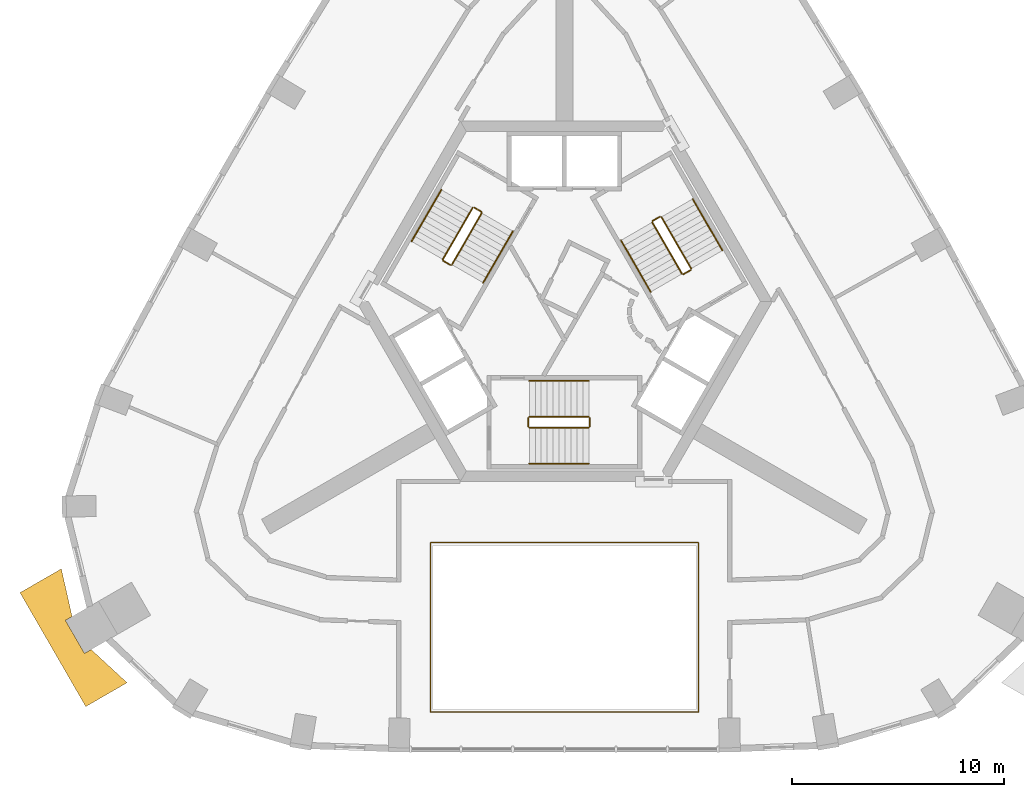
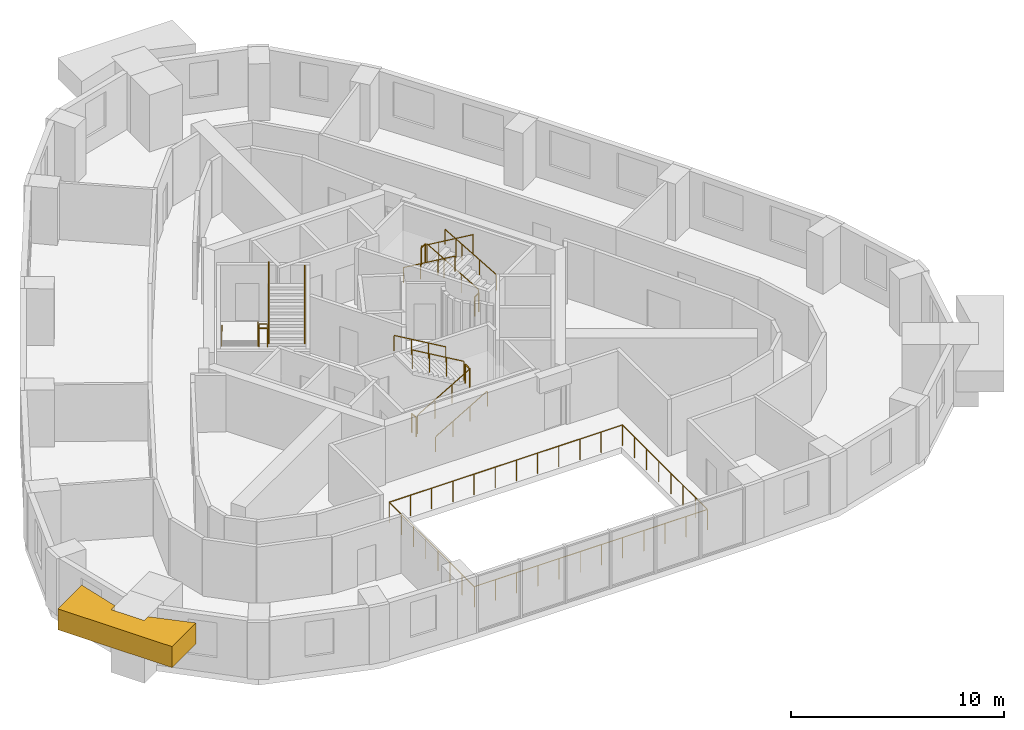
# One storey, part 8 of 9: 19 railings, 1 covering.
"""IFC4 building model written with IfcOpenShell, lengths in metres."""

from ifc_helpers import new_model, si_unit, direction, frame, origin, origin_2d, place, context, subcontext, project, spatial, polyline, circle, outline, extrude, material, type_object, element, save


model = new_model("IFC4")

# Units and contexts
model_context = context("Model", 3, precision=1e-05, world=origin(), true_north=direction((0.0, 1.0)))
body_context = subcontext(model_context, "Body", "Model", "MODEL_VIEW")
ifc_project = project(units=[si_unit("LENGTHUNIT", "METRE"), si_unit("AREAUNIT", "SQUARE_METRE"), si_unit("VOLUMEUNIT", "CUBIC_METRE"), si_unit("PLANEANGLEUNIT", "RADIAN"), si_unit("MASSUNIT", "GRAM", prefix="KILO")], contexts=[model_context])

# Site, building, storey
site_placement = place(None, origin())
site = spatial("IfcSite", under=ifc_project, at=site_placement, CompositionType="ELEMENT")
building_placement = place(site_placement, origin())
building = spatial("IfcBuilding", under=site, at=building_placement, Name="Entoto Arch Interchange Tower", CompositionType="ELEMENT")
storey_placement = place(building_placement, frame((0.0, 0.0, 315.199951171875)))
storey = spatial("IfcBuildingStorey", under=building, at=storey_placement, Name="L74", CompositionType="ELEMENT", Elevation=315.199951171875)

# Railing
ifc_material_1 = material(Name="Stainless steel 1.4301", Category="steel")
railing_type_1 = type_object("IfcRailingType", Name="ATRIUM GUARD 1200 STEEL AND GLASS", PredefinedType="GUARDRAIL", material=ifc_material_1)
railing_1_placement = place(storey_placement, frame((6.320068359375, -16.865966796875, 0.0)))
element("IfcRailing", 1, at=railing_1_placement, inside=storey, type_object=railing_type_1, Name="Atrium guard L74", PredefinedType="GUARDRAIL", context=body_context, shape_type="SweptSolid", body=[
    extrude(circle(Radius=0.02392578125, at=origin_2d()), frame((0.0, 0.0, 1.17578125), z_axis=(-1.0, 0.0, 0.0), x_axis=(0.0, -1.0, 0.0)), (0.0, 0.0, 1.0), 12.64013671875),
    extrude(circle(Radius=0.02392578125, at=origin_2d()), frame((-12.64013671875, 0.0, 1.17578125), z_axis=(0.0, 1.0, 0.0), x_axis=(-1.0, 0.0, 0.0)), (0.0, 0.0, 1.0), 7.986083984375),
    extrude(circle(Radius=0.02392578125, at=origin_2d()), frame((-12.64013671875, 7.986083984375, 1.17578125), z_axis=(1.0, 0.0, 0.0), x_axis=(0.0, 1.0, 0.0)), (0.0, 0.0, 1.0), 12.64013671875),
    extrude(circle(Radius=0.02392578125, at=origin_2d()), frame((0.0, 7.986083984375, 1.17578125), z_axis=(0.0, -1.0, 0.0), x_axis=(1.0, 0.0, 0.0)), (0.0, 0.0, 1.0), 7.986083984375),
    extrude(circle(Radius=0.02099609375, at=origin_2d()), origin(), (0.0, 0.0, 1.0), 1.15185546875),
    extrude(circle(Radius=0.02099609375, at=origin_2d()), frame((-1.149169921875, 0.0, 0.0)), (0.0, 0.0, 1.0), 1.15185546875),
    extrude(circle(Radius=0.02099609375, at=origin_2d()), frame((-2.298095703125, 0.0, 0.0)), (0.0, 0.0, 1.0), 1.15185546875),
    extrude(circle(Radius=0.02099609375, at=origin_2d()), frame((-3.447265625, 0.0, 0.0)), (0.0, 0.0, 1.0), 1.15185546875),
    extrude(circle(Radius=0.02099609375, at=origin_2d()), frame((-4.596435546875, 0.0, 0.0)), (0.0, 0.0, 1.0), 1.15185546875),
    extrude(circle(Radius=0.02099609375, at=origin_2d()), frame((-5.74560546875, 0.0, 0.0)), (0.0, 0.0, 1.0), 1.15185546875),
    extrude(circle(Radius=0.02099609375, at=origin_2d()), frame((-6.89453125, 0.0, 0.0)), (0.0, 0.0, 1.0), 1.15185546875),
    extrude(circle(Radius=0.02099609375, at=origin_2d()), frame((-8.043701171875, 0.0, 0.0)), (0.0, 0.0, 1.0), 1.15185546875),
    extrude(circle(Radius=0.02099609375, at=origin_2d()), frame((-9.19287109375, 0.0, 0.0)), (0.0, 0.0, 1.0), 1.15185546875),
    extrude(circle(Radius=0.02099609375, at=origin_2d()), frame((-10.342041015625, 0.0, 0.0)), (0.0, 0.0, 1.0), 1.15185546875),
    extrude(circle(Radius=0.02099609375, at=origin_2d()), frame((-11.490966796875, 0.0, 0.0)), (0.0, 0.0, 1.0), 1.15185546875),
    extrude(circle(Radius=0.02099609375, at=origin_2d()), frame((-12.64013671875, 0.0, 0.0)), (0.0, 0.0, 1.0), 1.15185546875),
    extrude(circle(Radius=0.02099609375, at=origin_2d()), frame((-12.64013671875, 1.140869140625, 0.0)), (0.0, 0.0, 1.0), 1.15185546875),
    extrude(circle(Radius=0.02099609375, at=origin_2d()), frame((-12.64013671875, 2.28173828125, 0.0)), (0.0, 0.0, 1.0), 1.15185546875),
    extrude(circle(Radius=0.02099609375, at=origin_2d()), frame((-12.64013671875, 3.422607421875, 0.0)), (0.0, 0.0, 1.0), 1.15185546875),
    extrude(circle(Radius=0.02099609375, at=origin_2d()), frame((-12.64013671875, 4.5634765625, 0.0)), (0.0, 0.0, 1.0), 1.15185546875),
    extrude(circle(Radius=0.02099609375, at=origin_2d()), frame((-12.64013671875, 5.704345703125, 0.0)), (0.0, 0.0, 1.0), 1.15185546875),
    extrude(circle(Radius=0.02099609375, at=origin_2d()), frame((-12.64013671875, 6.84521484375, 0.0)), (0.0, 0.0, 1.0), 1.15185546875),
    extrude(circle(Radius=0.02099609375, at=origin_2d()), frame((-12.64013671875, 7.986083984375, 0.0)), (0.0, 0.0, 1.0), 1.15185546875),
    extrude(circle(Radius=0.02099609375, at=origin_2d()), frame((-11.490966796875, 7.986083984375, 0.0)), (0.0, 0.0, 1.0), 1.15185546875),
    extrude(circle(Radius=0.02099609375, at=origin_2d()), frame((-10.342041015625, 7.986083984375, 0.0)), (0.0, 0.0, 1.0), 1.15185546875),
    extrude(circle(Radius=0.02099609375, at=origin_2d()), frame((-9.19287109375, 7.986083984375, 0.0)), (0.0, 0.0, 1.0), 1.15185546875),
    extrude(circle(Radius=0.02099609375, at=origin_2d()), frame((-8.043701171875, 7.986083984375, 0.0)), (0.0, 0.0, 1.0), 1.15185546875),
    extrude(circle(Radius=0.02099609375, at=origin_2d()), frame((-6.89453125, 7.986083984375, 0.0)), (0.0, 0.0, 1.0), 1.15185546875),
    extrude(circle(Radius=0.02099609375, at=origin_2d()), frame((-5.74560546875, 7.986083984375, 0.0)), (0.0, 0.0, 1.0), 1.15185546875),
    extrude(circle(Radius=0.02099609375, at=origin_2d()), frame((-4.596435546875, 7.986083984375, 0.0)), (0.0, 0.0, 1.0), 1.15185546875),
    extrude(circle(Radius=0.02099609375, at=origin_2d()), frame((-3.447265625, 7.986083984375, 0.0)), (0.0, 0.0, 1.0), 1.15185546875),
    extrude(circle(Radius=0.02099609375, at=origin_2d()), frame((-2.298095703125, 7.986083984375, 0.0)), (0.0, 0.0, 1.0), 1.15185546875),
    extrude(circle(Radius=0.02099609375, at=origin_2d()), frame((-1.149169921875, 7.986083984375, 0.0)), (0.0, 0.0, 1.0), 1.15185546875),
    extrude(circle(Radius=0.02099609375, at=origin_2d()), frame((0.0, 7.986083984375, 0.0)), (0.0, 0.0, 1.0), 1.15185546875),
    extrude(circle(Radius=0.02099609375, at=origin_2d()), frame((0.0, 6.84521484375, 0.0)), (0.0, 0.0, 1.0), 1.15185546875),
    extrude(circle(Radius=0.02099609375, at=origin_2d()), frame((0.0, 5.704345703125, 0.0)), (0.0, 0.0, 1.0), 1.15185546875),
    extrude(circle(Radius=0.02099609375, at=origin_2d()), frame((0.0, 4.5634765625, 0.0)), (0.0, 0.0, 1.0), 1.15185546875),
    extrude(circle(Radius=0.02099609375, at=origin_2d()), frame((0.0, 3.422607421875, 0.0)), (0.0, 0.0, 1.0), 1.15185546875),
    extrude(circle(Radius=0.02099609375, at=origin_2d()), frame((0.0, 2.28173828125, 0.0)), (0.0, 0.0, 1.0), 1.15185546875),
    extrude(circle(Radius=0.02099609375, at=origin_2d()), frame((0.0, 1.140869140625, 0.0)), (0.0, 0.0, 1.0), 1.15185546875),
])

# Covering
ifc_material_2 = material(Name="Board-marked precast concrete C50/60", Category="concrete")
covering_type = type_object("IfcCoveringType", Name="PRECAST FRAME COURSE", PredefinedType="CLADDING", material=ifc_material_2)
covering_placement = place(storey_placement, frame((0.0, 0.0, 2.06005859375)))
element("IfcCovering", 2, at=covering_placement, inside=storey, type_object=covering_type, Name="Corner pilaster head SW L72-L74", PredefinedType="CLADDING", context=body_context, shape_type="SweptSolid", body=[
    extrude(outline(polyline([(-22.55810546875, -16.60400390625), (-25.657958984375, -11.23388671875), (-23.7099609375, -10.110107421875), (-23.202880859375, -12.35791015625), (-23.51806640625, -12.5400390625), (-22.617919921875, -14.097900390625), (-22.302978515625, -13.916015625), (-20.610107421875, -15.47900390625), (-22.55810546875, -16.60400390625)])), origin(), (0.0, 0.0, 1.0), 1.199951171875),
])

# Railings
railing_type_2 = type_object("IfcRailingType", Name="STAIR GUARD 1100 STEEL", PredefinedType="GUARDRAIL", material=ifc_material_1)
railing_2_placement = place(storey_placement, frame((-1.64990234375, -3.449951171875, 0.16357421875)))
element("IfcRailing", 3, at=railing_2_placement, inside=storey, type_object=railing_type_2, Name="L74 ST-S stair guard 1", PredefinedType="GUARDRAIL", context=body_context, shape_type="SweptSolid", body=[
    extrude(circle(Radius=0.02392578125, at=origin_2d()), frame((0.0, 0.0, 1.076171875), z_axis=(0.863341702679, 0.0, 0.504619762213), x_axis=(0.0, 1.0, 0.0)), (0.0, 0.0, 1.0), 3.242919921875),
    extrude(circle(Radius=0.02099609375, at=origin_2d()), origin(), (0.0, 0.0, 1.0), 1.052001953125),
    extrude(circle(Radius=0.02099609375, at=origin_2d()), frame((0.933349609375, 0.0, 0.54541015625)), (0.0, 0.0, 1.0), 1.052001953125),
    extrude(circle(Radius=0.02099609375, at=origin_2d()), frame((1.866455078125, 0.0, 1.091064453125)), (0.0, 0.0, 1.0), 1.052001953125),
    extrude(circle(Radius=0.02099609375, at=origin_2d()), frame((2.7998046875, 0.0, 1.636474609375)), (0.0, 0.0, 1.0), 1.052001953125),
])
railing_3_placement = place(storey_placement, frame((1.199951171875, -3.39990234375, 1.800048828125)))
element("IfcRailing", 4, at=railing_3_placement, inside=storey, type_object=railing_type_2, Name="L74 ST-S stair guard 2", PredefinedType="GUARDRAIL", context=body_context, shape_type="SweptSolid", body=[
    extrude(circle(Radius=0.02392578125, at=origin_2d()), frame((0.0, 0.0, 1.076171875), z_axis=(0.0, 1.0, 0.0), x_axis=(-1.0, 0.0, 0.0)), (0.0, 0.0, 1.0), 0.39990234375),
    extrude(circle(Radius=0.02099609375, at=origin_2d()), origin(), (0.0, 0.0, 1.0), 1.052001953125),
    extrude(circle(Radius=0.02099609375, at=origin_2d()), frame((0.0, 0.39990234375, 0.0)), (0.0, 0.0, 1.0), 1.052001953125),
])
railing_4_placement = place(storey_placement, frame((1.14990234375, -2.949951171875, 1.963623046875)))
element("IfcRailing", 5, at=railing_4_placement, inside=storey, type_object=railing_type_2, Name="L74 ST-S stair guard 3", PredefinedType="GUARDRAIL", context=body_context, shape_type="SweptSolid", body=[
    extrude(circle(Radius=0.02392578125, at=origin_2d()), frame((0.0, 0.0, 1.076171875), z_axis=(-0.863341702679, 0.0, 0.504619762213), x_axis=(0.0, -1.0, 0.0)), (0.0, 0.0, 1.0), 3.242919921875),
    extrude(circle(Radius=0.02099609375, at=origin_2d()), origin(), (0.0, 0.0, 1.0), 1.052001953125),
    extrude(circle(Radius=0.02099609375, at=origin_2d()), frame((-0.933349609375, 0.0, 0.54541015625)), (0.0, 0.0, 1.0), 1.052001953125),
    extrude(circle(Radius=0.02099609375, at=origin_2d()), frame((-1.866455078125, 0.0, 1.091064453125)), (0.0, 0.0, 1.0), 1.052001953125),
    extrude(circle(Radius=0.02099609375, at=origin_2d()), frame((-2.7998046875, 0.0, 1.636474609375)), (0.0, 0.0, 1.0), 1.052001953125),
])
railing_5_placement = place(storey_placement, frame((-1.699951171875, -3.39990234375, 0.0)))
element("IfcRailing", 6, at=railing_5_placement, inside=storey, type_object=railing_type_2, Name="L74 ST-S stair guard 4", PredefinedType="GUARDRAIL", context=body_context, shape_type="SweptSolid", body=[
    extrude(circle(Radius=0.02392578125, at=origin_2d()), frame((0.0, 0.0, 1.076171875), z_axis=(0.0, 1.0, 0.0), x_axis=(-1.0, 0.0, 0.0)), (0.0, 0.0, 1.0), 0.39990234375),
    extrude(circle(Radius=0.02099609375, at=origin_2d()), origin(), (0.0, 0.0, 1.0), 1.052001953125),
    extrude(circle(Radius=0.02099609375, at=origin_2d()), frame((0.0, 0.39990234375, 0.0)), (0.0, 0.0, 1.0), 1.052001953125),
])
railing_6_placement = place(storey_placement, frame((5.977783203125, 4.046142578125, 0.16357421875)))
element("IfcRailing", 7, at=railing_6_placement, inside=storey, type_object=railing_type_2, Name="L74 ST-NE stair guard 1", PredefinedType="GUARDRAIL", context=body_context, shape_type="SweptSolid", body=[
    extrude(circle(Radius=0.02392578125, at=origin_2d()), frame((0.0, 0.0, 1.076171875), z_axis=(-0.431660630283, 0.747689811644, 0.504607813879), x_axis=(-0.866034573852, -0.49998411664, 0.0)), (0.0, 0.0, 1.0), 3.2431640625),
    extrude(circle(Radius=0.02099609375, at=origin_2d()), origin(), (0.0, 0.0, 1.0), 1.052001953125),
    extrude(circle(Radius=0.02099609375, at=origin_2d()), frame((-0.466552734375, 0.808349609375, 0.54541015625)), (0.0, 0.0, 1.0), 1.052001953125),
    extrude(circle(Radius=0.02099609375, at=origin_2d()), frame((-0.933349609375, 1.616455078125, 1.091064453125)), (0.0, 0.0, 1.0), 1.052001953125),
    extrude(circle(Radius=0.02099609375, at=origin_2d()), frame((-1.39990234375, 2.4248046875, 1.636474609375)), (0.0, 0.0, 1.0), 1.052001953125),
])
railing_7_placement = place(storey_placement, frame((4.509521484375, 6.4892578125, 1.800048828125)))
element("IfcRailing", 8, at=railing_7_placement, inside=storey, type_object=railing_type_2, Name="L74 ST-NE stair guard 2", PredefinedType="GUARDRAIL", context=body_context, shape_type="SweptSolid", body=[
    extrude(circle(Radius=0.02392578125, at=origin_2d()), frame((0.0, 0.0, 1.076171875), z_axis=(-0.866094119867, -0.499880961361, 0.0), x_axis=(0.499880961361, -0.866094119867, 0.0)), (0.0, 0.0, 1.0), 0.39990234375),
    extrude(circle(Radius=0.02099609375, at=origin_2d()), origin(), (0.0, 0.0, 1.0), 1.052001953125),
    extrude(circle(Radius=0.02099609375, at=origin_2d()), frame((-0.346435546875, -0.199951171875, 0.0)), (0.0, 0.0, 1.0), 1.052001953125),
])
railing_8_placement = place(storey_placement, frame((4.144775390625, 6.220947265625, 1.963623046875)))
element("IfcRailing", 9, at=railing_8_placement, inside=storey, type_object=railing_type_2, Name="L74 ST-NE stair guard 3", PredefinedType="GUARDRAIL", context=body_context, shape_type="SweptSolid", body=[
    extrude(circle(Radius=0.02392578125, at=origin_2d()), frame((0.0, 0.0, 1.076171875), z_axis=(0.431721881032, -0.747665513933, 0.504591415616), x_axis=(0.865996816683, 0.500049511043, 0.0)), (0.0, 0.0, 1.0), 3.2431640625),
    extrude(circle(Radius=0.02099609375, at=origin_2d()), origin(), (0.0, 0.0, 1.0), 1.052001953125),
    extrude(circle(Radius=0.02099609375, at=origin_2d()), frame((0.466796875, -0.808349609375, 0.54541015625)), (0.0, 0.0, 1.0), 1.052001953125),
    extrude(circle(Radius=0.02099609375, at=origin_2d()), frame((0.933349609375, -1.616455078125, 1.091064453125)), (0.0, 0.0, 1.0), 1.052001953125),
    extrude(circle(Radius=0.02099609375, at=origin_2d()), frame((1.400146484375, -2.4248046875, 1.636474609375)), (0.0, 0.0, 1.0), 1.052001953125),
])
railing_9_placement = place(storey_placement, frame((5.95947265625, 3.977783203125, 0.0)))
element("IfcRailing", 10, at=railing_9_placement, inside=storey, type_object=railing_type_2, Name="L74 ST-NE stair guard 4", PredefinedType="GUARDRAIL", context=body_context, shape_type="SweptSolid", body=[
    extrude(circle(Radius=0.02392578125, at=origin_2d()), frame((0.0, 0.0, 1.076171875), z_axis=(-0.866094119867, -0.499880961361, 0.0), x_axis=(0.499880961361, -0.866094119867, 0.0)), (0.0, 0.0, 1.0), 0.39990234375),
    extrude(circle(Radius=0.02099609375, at=origin_2d()), origin(), (0.0, 0.0, 1.0), 1.052001953125),
    extrude(circle(Radius=0.02099609375, at=origin_2d()), frame((-0.346435546875, -0.199951171875, 0.0)), (0.0, 0.0, 1.0), 1.052001953125),
])
railing_10_placement = place(storey_placement, frame((-4.327880859375, 6.904052734375, 0.16357421875)))
element("IfcRailing", 11, at=railing_10_placement, inside=storey, type_object=railing_type_2, Name="L74 ST-NW stair guard 1", PredefinedType="GUARDRAIL", context=body_context, shape_type="SweptSolid", body=[
    extrude(circle(Radius=0.02392578125, at=origin_2d()), frame((0.0, 0.0, 1.076171875), z_axis=(-0.431636334334, -0.747723004699, 0.504579412111), x_axis=(0.866056369097, -0.49994636267, 0.0)), (0.0, 0.0, 1.0), 3.2431640625),
    extrude(circle(Radius=0.02099609375, at=origin_2d()), origin(), (0.0, 0.0, 1.0), 1.052001953125),
    extrude(circle(Radius=0.02099609375, at=origin_2d()), frame((-0.466552734375, -0.808349609375, 0.54541015625)), (0.0, 0.0, 1.0), 1.052001953125),
    extrude(circle(Radius=0.02099609375, at=origin_2d()), frame((-0.933349609375, -1.61669921875, 1.091064453125)), (0.0, 0.0, 1.0), 1.052001953125),
    extrude(circle(Radius=0.02099609375, at=origin_2d()), frame((-1.39990234375, -2.425048828125, 1.636474609375)), (0.0, 0.0, 1.0), 1.052001953125),
])
railing_11_placement = place(storey_placement, frame((-5.70947265625, 4.410888671875, 1.800048828125)))
element("IfcRailing", 12, at=railing_11_placement, inside=storey, type_object=railing_type_2, Name="L74 ST-NW stair guard 2", PredefinedType="GUARDRAIL", context=body_context, shape_type="SweptSolid", body=[
    extrude(circle(Radius=0.02392578125, at=origin_2d()), frame((0.0, 0.0, 1.076171875), z_axis=(0.865829829939, -0.500338590944, 0.0), x_axis=(0.500338590944, 0.865829829939, 0.0)), (0.0, 0.0, 1.0), 0.400146484375),
    extrude(circle(Radius=0.02099609375, at=origin_2d()), origin(), (0.0, 0.0, 1.0), 1.052001953125),
    extrude(circle(Radius=0.02099609375, at=origin_2d()), frame((0.346435546875, -0.2001953125, 0.0)), (0.0, 0.0, 1.0), 1.052001953125),
])
railing_12_placement = place(storey_placement, frame((-5.294921875, 4.22900390625, 1.963623046875)))
element("IfcRailing", 13, at=railing_12_placement, inside=storey, type_object=railing_type_2, Name="L74 ST-NW stair guard 3", PredefinedType="GUARDRAIL", context=body_context, shape_type="SweptSolid", body=[
    extrude(circle(Radius=0.02392578125, at=origin_2d()), frame((0.0, 0.0, 1.076171875), z_axis=(0.431697583215, 0.747698708645, 0.504563016616), x_axis=(-0.866018616679, 0.500011755427, 0.0)), (0.0, 0.0, 1.0), 3.243408203125),
    extrude(circle(Radius=0.02099609375, at=origin_2d()), origin(), (0.0, 0.0, 1.0), 1.052001953125),
    extrude(circle(Radius=0.02099609375, at=origin_2d()), frame((0.466796875, 0.808349609375, 0.54541015625)), (0.0, 0.0, 1.0), 1.052001953125),
    extrude(circle(Radius=0.02099609375, at=origin_2d()), frame((0.933349609375, 1.61669921875, 1.091064453125)), (0.0, 0.0, 1.0), 1.052001953125),
    extrude(circle(Radius=0.02099609375, at=origin_2d()), frame((1.400146484375, 2.425048828125, 1.636474609375)), (0.0, 0.0, 1.0), 1.052001953125),
])
railing_13_placement = place(storey_placement, frame((-4.259521484375, 6.92236328125, 0.0)))
element("IfcRailing", 14, at=railing_13_placement, inside=storey, type_object=railing_type_2, Name="L74 ST-NW stair guard 4", PredefinedType="GUARDRAIL", context=body_context, shape_type="SweptSolid", body=[
    extrude(circle(Radius=0.02392578125, at=origin_2d()), frame((0.0, 0.0, 1.076171875), z_axis=(0.865829829939, -0.500338590944, 0.0), x_axis=(0.500338590944, 0.865829829939, 0.0)), (0.0, 0.0, 1.0), 0.400146484375),
    extrude(circle(Radius=0.02099609375, at=origin_2d()), origin(), (0.0, 0.0, 1.0), 1.052001953125),
    extrude(circle(Radius=0.02099609375, at=origin_2d()), frame((0.346435546875, -0.2001953125, 0.0)), (0.0, 0.0, 1.0), 1.052001953125),
])
railing_type_3 = type_object("IfcRailingType", Name="STAIR HANDRAIL 900 STEEL", PredefinedType="HANDRAIL", material=ifc_material_1)
railing_14_placement = place(storey_placement, frame((-1.64990234375, -5.14990234375, 0.16357421875)))
element("IfcRailing", 15, at=railing_14_placement, inside=storey, type_object=railing_type_3, Name="L74 ST-S stair handrail 1", PredefinedType="HANDRAIL", context=body_context, shape_type="SweptSolid", body=[
    extrude(circle(Radius=0.02392578125, at=origin_2d()), frame((0.0, 0.0, 0.8759765625), z_axis=(0.863341702679, 0.0, 0.504619762213), x_axis=(0.0, 1.0, 0.0)), (0.0, 0.0, 1.0), 3.242919921875),
    extrude(circle(Radius=0.02099609375, at=origin_2d()), origin(), (0.0, 0.0, 1.0), 0.851806640625),
    extrude(circle(Radius=0.02099609375, at=origin_2d()), frame((0.933349609375, 0.0, 0.54541015625)), (0.0, 0.0, 1.0), 0.851806640625),
    extrude(circle(Radius=0.02099609375, at=origin_2d()), frame((1.866455078125, 0.0, 1.091064453125)), (0.0, 0.0, 1.0), 0.851806640625),
    extrude(circle(Radius=0.02099609375, at=origin_2d()), frame((2.7998046875, 0.0, 1.636474609375)), (0.0, 0.0, 1.0), 0.851806640625),
])
railing_15_placement = place(storey_placement, frame((1.14990234375, -1.25, 1.963623046875)))
element("IfcRailing", 16, at=railing_15_placement, inside=storey, type_object=railing_type_3, Name="L74 ST-S stair handrail 2", PredefinedType="HANDRAIL", context=body_context, shape_type="SweptSolid", body=[
    extrude(circle(Radius=0.02392578125, at=origin_2d()), frame((0.0, 0.0, 0.8759765625), z_axis=(-0.863341702679, 0.0, 0.504619762213), x_axis=(0.0, -1.0, 0.0)), (0.0, 0.0, 1.0), 3.242919921875),
    extrude(circle(Radius=0.02099609375, at=origin_2d()), origin(), (0.0, 0.0, 1.0), 0.851806640625),
    extrude(circle(Radius=0.02099609375, at=origin_2d()), frame((-0.933349609375, 0.0, 0.54541015625)), (0.0, 0.0, 1.0), 0.851806640625),
    extrude(circle(Radius=0.02099609375, at=origin_2d()), frame((-1.866455078125, 0.0, 1.091064453125)), (0.0, 0.0, 1.0), 0.851806640625),
    extrude(circle(Radius=0.02099609375, at=origin_2d()), frame((-2.7998046875, 0.0, 1.636474609375)), (0.0, 0.0, 1.0), 0.851806640625),
])
railing_16_placement = place(storey_placement, frame((7.4501953125, 4.89599609375, 0.16357421875)))
element("IfcRailing", 17, at=railing_16_placement, inside=storey, type_object=railing_type_3, Name="L74 ST-NE stair handrail 1", PredefinedType="HANDRAIL", context=body_context, shape_type="SweptSolid", body=[
    extrude(circle(Radius=0.02392578125, at=origin_2d()), frame((0.0, 0.0, 0.8759765625), z_axis=(-0.431697583215, 0.747698708645, 0.504563016616), x_axis=(-0.866018616679, -0.500011755427, 0.0)), (0.0, 0.0, 1.0), 3.243408203125),
    extrude(circle(Radius=0.02099609375, at=origin_2d()), origin(), (0.0, 0.0, 1.0), 0.851806640625),
    extrude(circle(Radius=0.02099609375, at=origin_2d()), frame((-0.466796875, 0.808349609375, 0.54541015625)), (0.0, 0.0, 1.0), 0.851806640625),
    extrude(circle(Radius=0.02099609375, at=origin_2d()), frame((-0.933349609375, 1.61669921875, 1.091064453125)), (0.0, 0.0, 1.0), 0.851806640625),
    extrude(circle(Radius=0.02099609375, at=origin_2d()), frame((-1.400146484375, 2.425048828125, 1.636474609375)), (0.0, 0.0, 1.0), 0.851806640625),
])
railing_17_placement = place(storey_placement, frame((2.672607421875, 5.370849609375, 1.963623046875)))
element("IfcRailing", 18, at=railing_17_placement, inside=storey, type_object=railing_type_3, Name="L74 ST-NE stair handrail 2", PredefinedType="HANDRAIL", context=body_context, shape_type="SweptSolid", body=[
    extrude(circle(Radius=0.02392578125, at=origin_2d()), frame((0.0, 0.0, 0.8759765625), z_axis=(0.431660630283, -0.747689811644, 0.504607813879), x_axis=(0.866034573852, 0.49998411664, 0.0)), (0.0, 0.0, 1.0), 3.2431640625),
    extrude(circle(Radius=0.02099609375, at=origin_2d()), origin(), (0.0, 0.0, 1.0), 0.851806640625),
    extrude(circle(Radius=0.02099609375, at=origin_2d()), frame((0.466552734375, -0.808349609375, 0.54541015625)), (0.0, 0.0, 1.0), 0.851806640625),
    extrude(circle(Radius=0.02099609375, at=origin_2d()), frame((0.933349609375, -1.616455078125, 1.091064453125)), (0.0, 0.0, 1.0), 0.851806640625),
    extrude(circle(Radius=0.02099609375, at=origin_2d()), frame((1.39990234375, -2.4248046875, 1.636474609375)), (0.0, 0.0, 1.0), 0.851806640625),
])
railing_18_placement = place(storey_placement, frame((-5.800048828125, 7.75390625, 0.16357421875)))
element("IfcRailing", 19, at=railing_18_placement, inside=storey, type_object=railing_type_3, Name="L74 ST-NW stair handrail 1", PredefinedType="HANDRAIL", context=body_context, shape_type="SweptSolid", body=[
    extrude(circle(Radius=0.02392578125, at=origin_2d()), frame((0.0, 0.0, 0.8759765625), z_axis=(-0.431721881032, -0.747665513933, 0.504591415616), x_axis=(0.865996816683, -0.500049511043, 0.0)), (0.0, 0.0, 1.0), 3.2431640625),
    extrude(circle(Radius=0.02099609375, at=origin_2d()), origin(), (0.0, 0.0, 1.0), 0.851806640625),
    extrude(circle(Radius=0.02099609375, at=origin_2d()), frame((-0.466796875, -0.808349609375, 0.54541015625)), (0.0, 0.0, 1.0), 0.851806640625),
    extrude(circle(Radius=0.02099609375, at=origin_2d()), frame((-0.933349609375, -1.616455078125, 1.091064453125)), (0.0, 0.0, 1.0), 0.851806640625),
    extrude(circle(Radius=0.02099609375, at=origin_2d()), frame((-1.400146484375, -2.4248046875, 1.636474609375)), (0.0, 0.0, 1.0), 0.851806640625),
])
railing_19_placement = place(storey_placement, frame((-3.822509765625, 3.379150390625, 1.963623046875)))
element("IfcRailing", 20, at=railing_19_placement, inside=storey, type_object=railing_type_3, Name="L74 ST-NW stair handrail 2", PredefinedType="HANDRAIL", context=body_context, shape_type="SweptSolid", body=[
    extrude(circle(Radius=0.02392578125, at=origin_2d()), frame((0.0, 0.0, 0.8759765625), z_axis=(0.431660630283, 0.747689811644, 0.504607813879), x_axis=(-0.866034573852, 0.49998411664, 0.0)), (0.0, 0.0, 1.0), 3.2431640625),
    extrude(circle(Radius=0.02099609375, at=origin_2d()), origin(), (0.0, 0.0, 1.0), 0.851806640625),
    extrude(circle(Radius=0.02099609375, at=origin_2d()), frame((0.466552734375, 0.808349609375, 0.54541015625)), (0.0, 0.0, 1.0), 0.851806640625),
    extrude(circle(Radius=0.02099609375, at=origin_2d()), frame((0.933349609375, 1.616455078125, 1.091064453125)), (0.0, 0.0, 1.0), 0.851806640625),
    extrude(circle(Radius=0.02099609375, at=origin_2d()), frame((1.39990234375, 2.4248046875, 1.636474609375)), (0.0, 0.0, 1.0), 0.851806640625),
])

save(model, "model.ifc")
